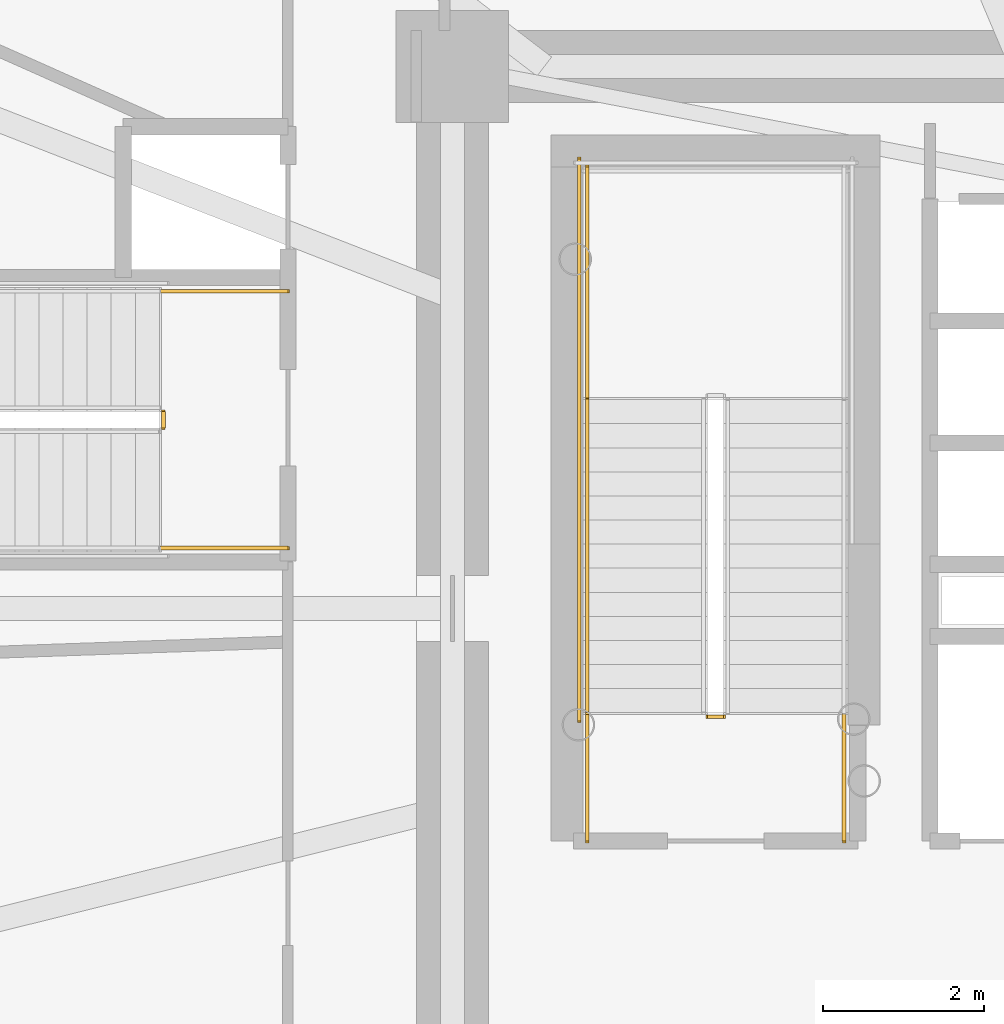
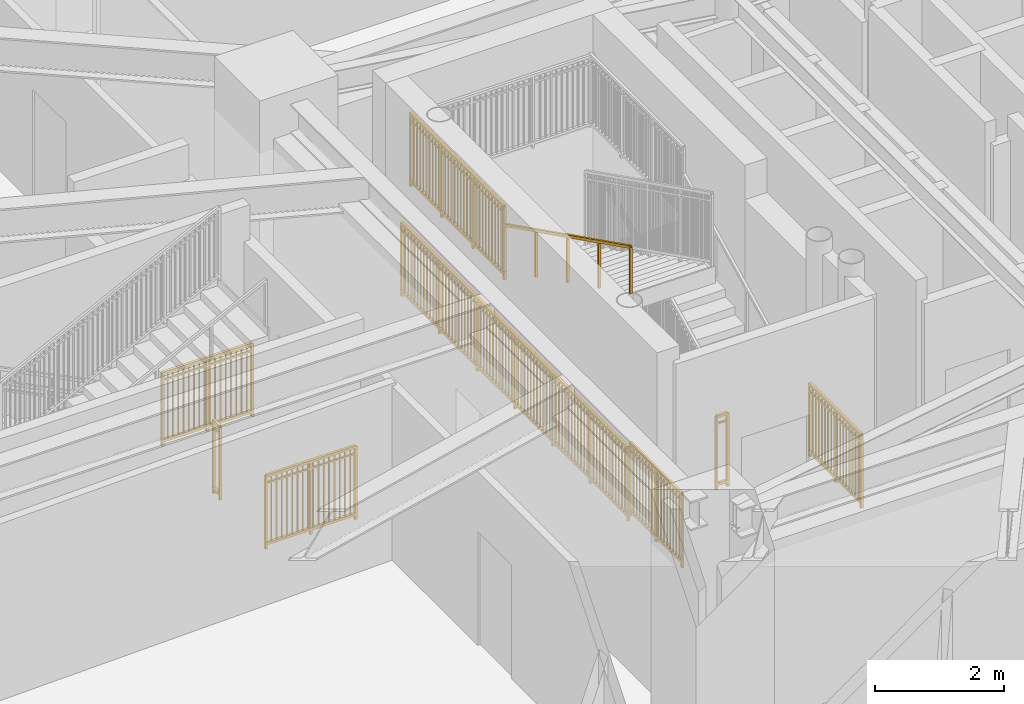
# One storey, part 24 of 32: 9 railings.
"""IFC4 building model written with IfcOpenShell, lengths in metres."""

from ifc_helpers import new_model, si_unit, direction, frame, origin, origin_2d, place, context, subcontext, project, spatial, rectangle, extrude, source, transform, mapped, material, type_object, element, save


model = new_model("IFC4")

# Units and contexts
model_context = context("Model", 3, precision=1e-05, world=origin(), true_north=direction((0.0, 1.0)))
body_context = subcontext(model_context, "Body", "Model", "MODEL_VIEW")
ifc_project = project(units=[si_unit("LENGTHUNIT", "METRE"), si_unit("AREAUNIT", "SQUARE_METRE"), si_unit("VOLUMEUNIT", "CUBIC_METRE"), si_unit("PLANEANGLEUNIT", "RADIAN"), si_unit("MASSUNIT", "GRAM", prefix="KILO")], contexts=[model_context])

# Site, building, storey
site_placement = place(None, origin())
site = spatial("IfcSite", under=ifc_project, at=site_placement, CompositionType="ELEMENT")
building_placement = place(site_placement, origin())
building = spatial("IfcBuilding", under=site, at=building_placement, Name="Linh Dai School and Residence Tower", CompositionType="ELEMENT")
storey_placement = place(building_placement, frame((0.0, 0.0, 53.39990234375)))
storey = spatial("IfcBuildingStorey", under=building, at=storey_placement, Name="L12", CompositionType="ELEMENT", Elevation=53.39990234375)

# Railings
ifc_material_1 = material(Name="Structural Steel S355JR", Category="steel")
railing_type_1 = type_object("IfcRailingType", Name="RL-ST-GUARD-1400", PredefinedType="GUARDRAIL", material=ifc_material_1)
shared_shape_1 = source(origin(), body_context, "Body", "SweptSolid", [
    extrude(rectangle(XDim=0.048095703125, YDim=0.048095703125, at=origin_2d()), frame((0.0, 0.0, 1.3759765625), z_axis=(-1.0, 0.0, 0.0), x_axis=(0.0, -1.0, 0.0)), (0.0, 0.0, 1.0), 0.199951171875),
    extrude(rectangle(XDim=0.048095703125, YDim=0.048095703125, at=origin_2d()), frame((0.0, 0.0, 0.10009765625), z_axis=(-1.0, 0.0, 0.0), x_axis=(0.0, -1.0, 0.0)), (0.0, 0.0, 1.0), 0.199951171875),
    extrude(rectangle(XDim=0.030029296875, YDim=0.030029296875, at=origin_2d()), frame((0.0, 0.0, 1.239990234375), z_axis=(-1.0, 0.0, 0.0), x_axis=(0.0, -1.0, 0.0)), (0.0, 0.0, 1.0), 0.199951171875),
    extrude(rectangle(XDim=0.0419921875, YDim=0.0419921875, at=origin_2d()), origin(), (0.0, 0.0, 1.0), 1.3759765625),
    extrude(rectangle(XDim=0.0419921875, YDim=0.0419921875, at=origin_2d()), frame((-0.199951171875, 0.0, 0.0)), (0.0, 0.0, 1.0), 1.3759765625),
])
railing_1_placement = place(storey_placement, frame((29.429931640625, 25.64990234375, 0.0)))
element("IfcRailing", 1, at=railing_1_placement, inside=storey, type_object=railing_type_1, Name="L12 ST1 stair guard 7", PredefinedType="GUARDRAIL", context=body_context, shape_type="MappedRepresentation", body=[
    mapped(shared_shape_1, transform((0.0, 0.0, 0.0), x_axis=(1.0, 0.0, 0.0), y_axis=(0.0, 1.0, 0.0), z_axis=(0.0, 0.0, 1.0), scale=1.0)),
])
shared_shape_2 = source(origin(), body_context, "Body", "SweptSolid", [
    extrude(rectangle(XDim=0.048095703125, YDim=0.048095703125, at=origin_2d()), frame((0.0, 0.0, 1.3759765625), z_axis=(0.0, 1.0, 0.0), x_axis=(-1.0, 0.0, 0.0)), (0.0, 0.0, 1.0), 1.599853515625),
    extrude(rectangle(XDim=0.048095703125, YDim=0.048095703125, at=origin_2d()), frame((0.0, 0.0, 0.10009765625), z_axis=(0.0, 1.0, 0.0), x_axis=(-1.0, 0.0, 0.0)), (0.0, 0.0, 1.0), 1.599853515625),
    extrude(rectangle(XDim=0.030029296875, YDim=0.030029296875, at=origin_2d()), frame((0.0, 0.0, 1.239990234375), z_axis=(0.0, 1.0, 0.0), x_axis=(-1.0, 0.0, 0.0)), (0.0, 0.0, 1.0), 1.599853515625),
    extrude(rectangle(XDim=0.02001953125, YDim=0.02001953125, at=origin_2d()), frame((0.0, 0.093994140625, 0.10009765625)), (0.0, 0.0, 1.0), 1.251708984375),
    extrude(rectangle(XDim=0.02001953125, YDim=0.02001953125, at=origin_2d()), frame((0.0, 0.188232421875, 0.10009765625)), (0.0, 0.0, 1.0), 1.251708984375),
    extrude(rectangle(XDim=0.02001953125, YDim=0.02001953125, at=origin_2d()), frame((0.0, 0.2822265625, 0.10009765625)), (0.0, 0.0, 1.0), 1.251708984375),
    extrude(rectangle(XDim=0.02001953125, YDim=0.02001953125, at=origin_2d()), frame((0.0, 0.37646484375, 0.10009765625)), (0.0, 0.0, 1.0), 1.251708984375),
    extrude(rectangle(XDim=0.02001953125, YDim=0.02001953125, at=origin_2d()), frame((0.0, 0.470458984375, 0.10009765625)), (0.0, 0.0, 1.0), 1.251708984375),
    extrude(rectangle(XDim=0.02001953125, YDim=0.02001953125, at=origin_2d()), frame((0.0, 0.564697265625, 0.10009765625)), (0.0, 0.0, 1.0), 1.251708984375),
    extrude(rectangle(XDim=0.02001953125, YDim=0.02001953125, at=origin_2d()), frame((0.0, 0.65869140625, 0.10009765625)), (0.0, 0.0, 1.0), 1.251708984375),
    extrude(rectangle(XDim=0.02001953125, YDim=0.02001953125, at=origin_2d()), frame((0.0, 0.7529296875, 0.10009765625)), (0.0, 0.0, 1.0), 1.251708984375),
    extrude(rectangle(XDim=0.02001953125, YDim=0.02001953125, at=origin_2d()), frame((0.0, 0.846923828125, 0.10009765625)), (0.0, 0.0, 1.0), 1.251708984375),
    extrude(rectangle(XDim=0.02001953125, YDim=0.02001953125, at=origin_2d()), frame((0.0, 0.941162109375, 0.10009765625)), (0.0, 0.0, 1.0), 1.251708984375),
    extrude(rectangle(XDim=0.02001953125, YDim=0.02001953125, at=origin_2d()), frame((0.0, 1.03515625, 0.10009765625)), (0.0, 0.0, 1.0), 1.251708984375),
    extrude(rectangle(XDim=0.02001953125, YDim=0.02001953125, at=origin_2d()), frame((0.0, 1.12939453125, 0.10009765625)), (0.0, 0.0, 1.0), 1.251708984375),
    extrude(rectangle(XDim=0.02001953125, YDim=0.02001953125, at=origin_2d()), frame((0.0, 1.223388671875, 0.10009765625)), (0.0, 0.0, 1.0), 1.251708984375),
    extrude(rectangle(XDim=0.02001953125, YDim=0.02001953125, at=origin_2d()), frame((0.0, 1.317626953125, 0.10009765625)), (0.0, 0.0, 1.0), 1.251708984375),
    extrude(rectangle(XDim=0.02001953125, YDim=0.02001953125, at=origin_2d()), frame((0.0, 1.41162109375, 0.10009765625)), (0.0, 0.0, 1.0), 1.251708984375),
    extrude(rectangle(XDim=0.02001953125, YDim=0.02001953125, at=origin_2d()), frame((0.0, 1.505859375, 0.10009765625)), (0.0, 0.0, 1.0), 1.251708984375),
    extrude(rectangle(XDim=0.0419921875, YDim=0.0419921875, at=origin_2d()), origin(), (0.0, 0.0, 1.0), 1.3759765625),
    extrude(rectangle(XDim=0.0419921875, YDim=0.0419921875, at=origin_2d()), frame((0.0, 0.7998046875, 0.0)), (0.0, 0.0, 1.0), 1.3759765625),
    extrude(rectangle(XDim=0.0419921875, YDim=0.0419921875, at=origin_2d()), frame((0.0, 1.599853515625, 0.0)), (0.0, 0.0, 1.0), 1.3759765625),
])
for number, where, name in (
    (2, (30.929931640625, 24.10009765625, 0.0), "L12 ST1 stair guard 8"),
    (3, (27.72998046875, 24.10009765625, 0.0), "L12 ST1 stair guard 9"),
):
    element("IfcRailing", number, at=place(storey_placement, frame(where)), inside=storey, type_object=railing_type_1, Name=name, PredefinedType="GUARDRAIL", context=body_context, shape_type="MappedRepresentation", body=[
        mapped(shared_shape_2, transform((0.0, 0.0, 0.0), x_axis=(1.0, 0.0, 0.0), y_axis=(0.0, 1.0, 0.0), z_axis=(0.0, 0.0, 1.0), scale=1.0)),
    ])
shared_shape_3 = source(origin(), body_context, "Body", "SweptSolid", [
    extrude(rectangle(XDim=0.048095703125, YDim=0.048095703125, at=origin_2d()), frame((0.0, 0.0, 1.3759765625), z_axis=(0.0, 1.0, 0.0), x_axis=(-1.0, 0.0, 0.0)), (0.0, 0.0, 1.0), 7.0),
    extrude(rectangle(XDim=0.048095703125, YDim=0.048095703125, at=origin_2d()), frame((0.0, 0.0, 0.10009765625), z_axis=(0.0, 1.0, 0.0), x_axis=(-1.0, 0.0, 0.0)), (0.0, 0.0, 1.0), 7.0),
    extrude(rectangle(XDim=0.030029296875, YDim=0.030029296875, at=origin_2d()), frame((0.0, 0.0, 1.239990234375), z_axis=(0.0, 1.0, 0.0), x_axis=(-1.0, 0.0, 0.0)), (0.0, 0.0, 1.0), 7.0),
    extrude(rectangle(XDim=0.02001953125, YDim=0.02001953125, at=origin_2d()), frame((0.0, 0.09716796875, 0.10009765625)), (0.0, 0.0, 1.0), 1.251708984375),
    extrude(rectangle(XDim=0.02001953125, YDim=0.02001953125, at=origin_2d()), frame((0.0, 0.1943359375, 0.10009765625)), (0.0, 0.0, 1.0), 1.251708984375),
    extrude(rectangle(XDim=0.02001953125, YDim=0.02001953125, at=origin_2d()), frame((0.0, 0.291748046875, 0.10009765625)), (0.0, 0.0, 1.0), 1.251708984375),
    extrude(rectangle(XDim=0.02001953125, YDim=0.02001953125, at=origin_2d()), frame((0.0, 0.388916015625, 0.10009765625)), (0.0, 0.0, 1.0), 1.251708984375),
    extrude(rectangle(XDim=0.02001953125, YDim=0.02001953125, at=origin_2d()), frame((0.0, 0.486083984375, 0.10009765625)), (0.0, 0.0, 1.0), 1.251708984375),
    extrude(rectangle(XDim=0.02001953125, YDim=0.02001953125, at=origin_2d()), frame((0.0, 0.583251953125, 0.10009765625)), (0.0, 0.0, 1.0), 1.251708984375),
    extrude(rectangle(XDim=0.02001953125, YDim=0.02001953125, at=origin_2d()), frame((0.0, 0.6806640625, 0.10009765625)), (0.0, 0.0, 1.0), 1.251708984375),
    extrude(rectangle(XDim=0.02001953125, YDim=0.02001953125, at=origin_2d()), frame((0.0, 0.77783203125, 0.10009765625)), (0.0, 0.0, 1.0), 1.251708984375),
    extrude(rectangle(XDim=0.02001953125, YDim=0.02001953125, at=origin_2d()), frame((0.0, 0.875, 0.10009765625)), (0.0, 0.0, 1.0), 1.251708984375),
    extrude(rectangle(XDim=0.02001953125, YDim=0.02001953125, at=origin_2d()), frame((0.0, 0.97216796875, 0.10009765625)), (0.0, 0.0, 1.0), 1.251708984375),
    extrude(rectangle(XDim=0.02001953125, YDim=0.02001953125, at=origin_2d()), frame((0.0, 1.0693359375, 0.10009765625)), (0.0, 0.0, 1.0), 1.251708984375),
    extrude(rectangle(XDim=0.02001953125, YDim=0.02001953125, at=origin_2d()), frame((0.0, 1.263916015625, 0.10009765625)), (0.0, 0.0, 1.0), 1.251708984375),
    extrude(rectangle(XDim=0.02001953125, YDim=0.02001953125, at=origin_2d()), frame((0.0, 1.361083984375, 0.10009765625)), (0.0, 0.0, 1.0), 1.251708984375),
    extrude(rectangle(XDim=0.02001953125, YDim=0.02001953125, at=origin_2d()), frame((0.0, 1.458251953125, 0.10009765625)), (0.0, 0.0, 1.0), 1.251708984375),
    extrude(rectangle(XDim=0.02001953125, YDim=0.02001953125, at=origin_2d()), frame((0.0, 1.5556640625, 0.10009765625)), (0.0, 0.0, 1.0), 1.251708984375),
    extrude(rectangle(XDim=0.02001953125, YDim=0.02001953125, at=origin_2d()), frame((0.0, 1.65283203125, 0.10009765625)), (0.0, 0.0, 1.0), 1.251708984375),
    extrude(rectangle(XDim=0.02001953125, YDim=0.02001953125, at=origin_2d()), frame((0.0, 1.75, 0.10009765625)), (0.0, 0.0, 1.0), 1.251708984375),
    extrude(rectangle(XDim=0.02001953125, YDim=0.02001953125, at=origin_2d()), frame((0.0, 1.84716796875, 0.10009765625)), (0.0, 0.0, 1.0), 1.251708984375),
    extrude(rectangle(XDim=0.02001953125, YDim=0.02001953125, at=origin_2d()), frame((0.0, 1.9443359375, 0.10009765625)), (0.0, 0.0, 1.0), 1.251708984375),
    extrude(rectangle(XDim=0.02001953125, YDim=0.02001953125, at=origin_2d()), frame((0.0, 2.041748046875, 0.10009765625)), (0.0, 0.0, 1.0), 1.251708984375),
    extrude(rectangle(XDim=0.02001953125, YDim=0.02001953125, at=origin_2d()), frame((0.0, 2.138916015625, 0.10009765625)), (0.0, 0.0, 1.0), 1.251708984375),
    extrude(rectangle(XDim=0.02001953125, YDim=0.02001953125, at=origin_2d()), frame((0.0, 2.236083984375, 0.10009765625)), (0.0, 0.0, 1.0), 1.251708984375),
    extrude(rectangle(XDim=0.02001953125, YDim=0.02001953125, at=origin_2d()), frame((0.0, 2.4306640625, 0.10009765625)), (0.0, 0.0, 1.0), 1.251708984375),
    extrude(rectangle(XDim=0.02001953125, YDim=0.02001953125, at=origin_2d()), frame((0.0, 2.52783203125, 0.10009765625)), (0.0, 0.0, 1.0), 1.251708984375),
    extrude(rectangle(XDim=0.02001953125, YDim=0.02001953125, at=origin_2d()), frame((0.0, 2.625, 0.10009765625)), (0.0, 0.0, 1.0), 1.251708984375),
    extrude(rectangle(XDim=0.02001953125, YDim=0.02001953125, at=origin_2d()), frame((0.0, 2.72216796875, 0.10009765625)), (0.0, 0.0, 1.0), 1.251708984375),
    extrude(rectangle(XDim=0.02001953125, YDim=0.02001953125, at=origin_2d()), frame((0.0, 2.8193359375, 0.10009765625)), (0.0, 0.0, 1.0), 1.251708984375),
    extrude(rectangle(XDim=0.02001953125, YDim=0.02001953125, at=origin_2d()), frame((0.0, 2.916748046875, 0.10009765625)), (0.0, 0.0, 1.0), 1.251708984375),
    extrude(rectangle(XDim=0.02001953125, YDim=0.02001953125, at=origin_2d()), frame((0.0, 3.013916015625, 0.10009765625)), (0.0, 0.0, 1.0), 1.251708984375),
    extrude(rectangle(XDim=0.02001953125, YDim=0.02001953125, at=origin_2d()), frame((0.0, 3.111083984375, 0.10009765625)), (0.0, 0.0, 1.0), 1.251708984375),
    extrude(rectangle(XDim=0.02001953125, YDim=0.02001953125, at=origin_2d()), frame((0.0, 3.208251953125, 0.10009765625)), (0.0, 0.0, 1.0), 1.251708984375),
    extrude(rectangle(XDim=0.02001953125, YDim=0.02001953125, at=origin_2d()), frame((0.0, 3.3056640625, 0.10009765625)), (0.0, 0.0, 1.0), 1.251708984375),
    extrude(rectangle(XDim=0.02001953125, YDim=0.02001953125, at=origin_2d()), frame((0.0, 3.40283203125, 0.10009765625)), (0.0, 0.0, 1.0), 1.251708984375),
    extrude(rectangle(XDim=0.02001953125, YDim=0.02001953125, at=origin_2d()), frame((0.0, 3.59716796875, 0.10009765625)), (0.0, 0.0, 1.0), 1.251708984375),
    extrude(rectangle(XDim=0.02001953125, YDim=0.02001953125, at=origin_2d()), frame((0.0, 3.6943359375, 0.10009765625)), (0.0, 0.0, 1.0), 1.251708984375),
    extrude(rectangle(XDim=0.02001953125, YDim=0.02001953125, at=origin_2d()), frame((0.0, 3.791748046875, 0.10009765625)), (0.0, 0.0, 1.0), 1.251708984375),
    extrude(rectangle(XDim=0.02001953125, YDim=0.02001953125, at=origin_2d()), frame((0.0, 3.888916015625, 0.10009765625)), (0.0, 0.0, 1.0), 1.251708984375),
    extrude(rectangle(XDim=0.02001953125, YDim=0.02001953125, at=origin_2d()), frame((0.0, 3.986083984375, 0.10009765625)), (0.0, 0.0, 1.0), 1.251708984375),
    extrude(rectangle(XDim=0.02001953125, YDim=0.02001953125, at=origin_2d()), frame((0.0, 4.083251953125, 0.10009765625)), (0.0, 0.0, 1.0), 1.251708984375),
    extrude(rectangle(XDim=0.02001953125, YDim=0.02001953125, at=origin_2d()), frame((0.0, 4.1806640625, 0.10009765625)), (0.0, 0.0, 1.0), 1.251708984375),
    extrude(rectangle(XDim=0.02001953125, YDim=0.02001953125, at=origin_2d()), frame((0.0, 4.27783203125, 0.10009765625)), (0.0, 0.0, 1.0), 1.251708984375),
    extrude(rectangle(XDim=0.02001953125, YDim=0.02001953125, at=origin_2d()), frame((0.0, 4.375, 0.10009765625)), (0.0, 0.0, 1.0), 1.251708984375),
    extrude(rectangle(XDim=0.02001953125, YDim=0.02001953125, at=origin_2d()), frame((0.0, 4.47216796875, 0.10009765625)), (0.0, 0.0, 1.0), 1.251708984375),
    extrude(rectangle(XDim=0.02001953125, YDim=0.02001953125, at=origin_2d()), frame((0.0, 4.5693359375, 0.10009765625)), (0.0, 0.0, 1.0), 1.251708984375),
    extrude(rectangle(XDim=0.02001953125, YDim=0.02001953125, at=origin_2d()), frame((0.0, 4.763916015625, 0.10009765625)), (0.0, 0.0, 1.0), 1.251708984375),
    extrude(rectangle(XDim=0.02001953125, YDim=0.02001953125, at=origin_2d()), frame((0.0, 4.861083984375, 0.10009765625)), (0.0, 0.0, 1.0), 1.251708984375),
    extrude(rectangle(XDim=0.02001953125, YDim=0.02001953125, at=origin_2d()), frame((0.0, 4.958251953125, 0.10009765625)), (0.0, 0.0, 1.0), 1.251708984375),
    extrude(rectangle(XDim=0.02001953125, YDim=0.02001953125, at=origin_2d()), frame((0.0, 5.0556640625, 0.10009765625)), (0.0, 0.0, 1.0), 1.251708984375),
    extrude(rectangle(XDim=0.02001953125, YDim=0.02001953125, at=origin_2d()), frame((0.0, 5.15283203125, 0.10009765625)), (0.0, 0.0, 1.0), 1.251708984375),
    extrude(rectangle(XDim=0.02001953125, YDim=0.02001953125, at=origin_2d()), frame((0.0, 5.25, 0.10009765625)), (0.0, 0.0, 1.0), 1.251708984375),
    extrude(rectangle(XDim=0.02001953125, YDim=0.02001953125, at=origin_2d()), frame((0.0, 5.34716796875, 0.10009765625)), (0.0, 0.0, 1.0), 1.251708984375),
    extrude(rectangle(XDim=0.02001953125, YDim=0.02001953125, at=origin_2d()), frame((0.0, 5.4443359375, 0.10009765625)), (0.0, 0.0, 1.0), 1.251708984375),
    extrude(rectangle(XDim=0.02001953125, YDim=0.02001953125, at=origin_2d()), frame((0.0, 5.541748046875, 0.10009765625)), (0.0, 0.0, 1.0), 1.251708984375),
    extrude(rectangle(XDim=0.02001953125, YDim=0.02001953125, at=origin_2d()), frame((0.0, 5.638916015625, 0.10009765625)), (0.0, 0.0, 1.0), 1.251708984375),
    extrude(rectangle(XDim=0.02001953125, YDim=0.02001953125, at=origin_2d()), frame((0.0, 5.736083984375, 0.10009765625)), (0.0, 0.0, 1.0), 1.251708984375),
    extrude(rectangle(XDim=0.02001953125, YDim=0.02001953125, at=origin_2d()), frame((0.0, 5.9306640625, 0.10009765625)), (0.0, 0.0, 1.0), 1.251708984375),
    extrude(rectangle(XDim=0.02001953125, YDim=0.02001953125, at=origin_2d()), frame((0.0, 6.02783203125, 0.10009765625)), (0.0, 0.0, 1.0), 1.251708984375),
    extrude(rectangle(XDim=0.02001953125, YDim=0.02001953125, at=origin_2d()), frame((0.0, 6.125, 0.10009765625)), (0.0, 0.0, 1.0), 1.251708984375),
    extrude(rectangle(XDim=0.02001953125, YDim=0.02001953125, at=origin_2d()), frame((0.0, 6.22216796875, 0.10009765625)), (0.0, 0.0, 1.0), 1.251708984375),
    extrude(rectangle(XDim=0.02001953125, YDim=0.02001953125, at=origin_2d()), frame((0.0, 6.3193359375, 0.10009765625)), (0.0, 0.0, 1.0), 1.251708984375),
    extrude(rectangle(XDim=0.02001953125, YDim=0.02001953125, at=origin_2d()), frame((0.0, 6.416748046875, 0.10009765625)), (0.0, 0.0, 1.0), 1.251708984375),
    extrude(rectangle(XDim=0.02001953125, YDim=0.02001953125, at=origin_2d()), frame((0.0, 6.513916015625, 0.10009765625)), (0.0, 0.0, 1.0), 1.251708984375),
    extrude(rectangle(XDim=0.02001953125, YDim=0.02001953125, at=origin_2d()), frame((0.0, 6.611083984375, 0.10009765625)), (0.0, 0.0, 1.0), 1.251708984375),
    extrude(rectangle(XDim=0.02001953125, YDim=0.02001953125, at=origin_2d()), frame((0.0, 6.708251953125, 0.10009765625)), (0.0, 0.0, 1.0), 1.251708984375),
    extrude(rectangle(XDim=0.02001953125, YDim=0.02001953125, at=origin_2d()), frame((0.0, 6.8056640625, 0.10009765625)), (0.0, 0.0, 1.0), 1.251708984375),
    extrude(rectangle(XDim=0.02001953125, YDim=0.02001953125, at=origin_2d()), frame((0.0, 6.90283203125, 0.10009765625)), (0.0, 0.0, 1.0), 1.251708984375),
    extrude(rectangle(XDim=0.0419921875, YDim=0.0419921875, at=origin_2d()), origin(), (0.0, 0.0, 1.0), 1.3759765625),
    extrude(rectangle(XDim=0.0419921875, YDim=0.0419921875, at=origin_2d()), frame((0.0, 1.166748046875, 0.0)), (0.0, 0.0, 1.0), 1.3759765625),
    extrude(rectangle(XDim=0.0419921875, YDim=0.0419921875, at=origin_2d()), frame((0.0, 2.333251953125, 0.0)), (0.0, 0.0, 1.0), 1.3759765625),
    extrude(rectangle(XDim=0.0419921875, YDim=0.0419921875, at=origin_2d()), frame((0.0, 3.5, 0.0)), (0.0, 0.0, 1.0), 1.3759765625),
    extrude(rectangle(XDim=0.0419921875, YDim=0.0419921875, at=origin_2d()), frame((0.0, 4.666748046875, 0.0)), (0.0, 0.0, 1.0), 1.3759765625),
    extrude(rectangle(XDim=0.0419921875, YDim=0.0419921875, at=origin_2d()), frame((0.0, 5.833251953125, 0.0)), (0.0, 0.0, 1.0), 1.3759765625),
    extrude(rectangle(XDim=0.0419921875, YDim=0.0419921875, at=origin_2d()), frame((0.0, 7.0, 0.0)), (0.0, 0.0, 1.0), 1.3759765625),
])
railing_2_placement = place(storey_placement, frame((27.6298828125, 25.60009765625, 0.0)))
element("IfcRailing", 4, at=railing_2_placement, inside=storey, type_object=railing_type_1, Name="L12 ST1 stair guard 11", PredefinedType="GUARDRAIL", context=body_context, shape_type="MappedRepresentation", body=[
    mapped(shared_shape_3, transform((0.0, 0.0, 0.0), x_axis=(1.0, 0.0, 0.0), y_axis=(0.0, 1.0, 0.0), z_axis=(0.0, 0.0, 1.0), scale=1.0)),
])
shared_shape_4 = source(origin(), body_context, "Body", "SweptSolid", [
    extrude(rectangle(XDim=0.048095703125, YDim=0.048095703125, at=origin_2d()), frame((0.0, 0.0, 1.3759765625), z_axis=(0.0, 1.0, 0.0), x_axis=(-1.0, 0.0, 0.0)), (0.0, 0.0, 1.0), 2.89990234375),
    extrude(rectangle(XDim=0.048095703125, YDim=0.048095703125, at=origin_2d()), frame((0.0, 0.0, 0.10009765625), z_axis=(0.0, 1.0, 0.0), x_axis=(-1.0, 0.0, 0.0)), (0.0, 0.0, 1.0), 2.89990234375),
    extrude(rectangle(XDim=0.030029296875, YDim=0.030029296875, at=origin_2d()), frame((0.0, 0.0, 1.239990234375), z_axis=(0.0, 1.0, 0.0), x_axis=(-1.0, 0.0, 0.0)), (0.0, 0.0, 1.0), 2.89990234375),
    extrude(rectangle(XDim=0.02001953125, YDim=0.02001953125, at=origin_2d()), frame((0.0, 0.0966796875, 0.10009765625)), (0.0, 0.0, 1.0), 1.251708984375),
    extrude(rectangle(XDim=0.02001953125, YDim=0.02001953125, at=origin_2d()), frame((0.0, 0.193359375, 0.10009765625)), (0.0, 0.0, 1.0), 1.251708984375),
    extrude(rectangle(XDim=0.02001953125, YDim=0.02001953125, at=origin_2d()), frame((0.0, 0.2900390625, 0.10009765625)), (0.0, 0.0, 1.0), 1.251708984375),
    extrude(rectangle(XDim=0.02001953125, YDim=0.02001953125, at=origin_2d()), frame((0.0, 0.38671875, 0.10009765625)), (0.0, 0.0, 1.0), 1.251708984375),
    extrude(rectangle(XDim=0.02001953125, YDim=0.02001953125, at=origin_2d()), frame((0.0, 0.4833984375, 0.10009765625)), (0.0, 0.0, 1.0), 1.251708984375),
    extrude(rectangle(XDim=0.02001953125, YDim=0.02001953125, at=origin_2d()), frame((0.0, 0.580078125, 0.10009765625)), (0.0, 0.0, 1.0), 1.251708984375),
    extrude(rectangle(XDim=0.02001953125, YDim=0.02001953125, at=origin_2d()), frame((0.0, 0.6767578125, 0.10009765625)), (0.0, 0.0, 1.0), 1.251708984375),
    extrude(rectangle(XDim=0.02001953125, YDim=0.02001953125, at=origin_2d()), frame((0.0, 0.773193359375, 0.10009765625)), (0.0, 0.0, 1.0), 1.251708984375),
    extrude(rectangle(XDim=0.02001953125, YDim=0.02001953125, at=origin_2d()), frame((0.0, 0.869873046875, 0.10009765625)), (0.0, 0.0, 1.0), 1.251708984375),
    extrude(rectangle(XDim=0.02001953125, YDim=0.02001953125, at=origin_2d()), frame((0.0, 1.063232421875, 0.10009765625)), (0.0, 0.0, 1.0), 1.251708984375),
    extrude(rectangle(XDim=0.02001953125, YDim=0.02001953125, at=origin_2d()), frame((0.0, 1.159912109375, 0.10009765625)), (0.0, 0.0, 1.0), 1.251708984375),
    extrude(rectangle(XDim=0.02001953125, YDim=0.02001953125, at=origin_2d()), frame((0.0, 1.256591796875, 0.10009765625)), (0.0, 0.0, 1.0), 1.251708984375),
    extrude(rectangle(XDim=0.02001953125, YDim=0.02001953125, at=origin_2d()), frame((0.0, 1.353271484375, 0.10009765625)), (0.0, 0.0, 1.0), 1.251708984375),
    extrude(rectangle(XDim=0.02001953125, YDim=0.02001953125, at=origin_2d()), frame((0.0, 1.449951171875, 0.10009765625)), (0.0, 0.0, 1.0), 1.251708984375),
    extrude(rectangle(XDim=0.02001953125, YDim=0.02001953125, at=origin_2d()), frame((0.0, 1.546630859375, 0.10009765625)), (0.0, 0.0, 1.0), 1.251708984375),
    extrude(rectangle(XDim=0.02001953125, YDim=0.02001953125, at=origin_2d()), frame((0.0, 1.643310546875, 0.10009765625)), (0.0, 0.0, 1.0), 1.251708984375),
    extrude(rectangle(XDim=0.02001953125, YDim=0.02001953125, at=origin_2d()), frame((0.0, 1.739990234375, 0.10009765625)), (0.0, 0.0, 1.0), 1.251708984375),
    extrude(rectangle(XDim=0.02001953125, YDim=0.02001953125, at=origin_2d()), frame((0.0, 1.836669921875, 0.10009765625)), (0.0, 0.0, 1.0), 1.251708984375),
    extrude(rectangle(XDim=0.02001953125, YDim=0.02001953125, at=origin_2d()), frame((0.0, 2.030029296875, 0.10009765625)), (0.0, 0.0, 1.0), 1.251708984375),
    extrude(rectangle(XDim=0.02001953125, YDim=0.02001953125, at=origin_2d()), frame((0.0, 2.126708984375, 0.10009765625)), (0.0, 0.0, 1.0), 1.251708984375),
    extrude(rectangle(XDim=0.02001953125, YDim=0.02001953125, at=origin_2d()), frame((0.0, 2.22314453125, 0.10009765625)), (0.0, 0.0, 1.0), 1.251708984375),
    extrude(rectangle(XDim=0.02001953125, YDim=0.02001953125, at=origin_2d()), frame((0.0, 2.31982421875, 0.10009765625)), (0.0, 0.0, 1.0), 1.251708984375),
    extrude(rectangle(XDim=0.02001953125, YDim=0.02001953125, at=origin_2d()), frame((0.0, 2.41650390625, 0.10009765625)), (0.0, 0.0, 1.0), 1.251708984375),
    extrude(rectangle(XDim=0.02001953125, YDim=0.02001953125, at=origin_2d()), frame((0.0, 2.51318359375, 0.10009765625)), (0.0, 0.0, 1.0), 1.251708984375),
    extrude(rectangle(XDim=0.02001953125, YDim=0.02001953125, at=origin_2d()), frame((0.0, 2.60986328125, 0.10009765625)), (0.0, 0.0, 1.0), 1.251708984375),
    extrude(rectangle(XDim=0.02001953125, YDim=0.02001953125, at=origin_2d()), frame((0.0, 2.70654296875, 0.10009765625)), (0.0, 0.0, 1.0), 1.251708984375),
    extrude(rectangle(XDim=0.02001953125, YDim=0.02001953125, at=origin_2d()), frame((0.0, 2.80322265625, 0.10009765625)), (0.0, 0.0, 1.0), 1.251708984375),
    extrude(rectangle(XDim=0.0419921875, YDim=0.0419921875, at=origin_2d()), origin(), (0.0, 0.0, 1.0), 1.3759765625),
    extrude(rectangle(XDim=0.0419921875, YDim=0.0419921875, at=origin_2d()), frame((0.0, 0.966552734375, 0.0)), (0.0, 0.0, 1.0), 1.3759765625),
    extrude(rectangle(XDim=0.0419921875, YDim=0.0419921875, at=origin_2d()), frame((0.0, 1.933349609375, 0.0)), (0.0, 0.0, 1.0), 1.3759765625),
    extrude(rectangle(XDim=0.0419921875, YDim=0.0419921875, at=origin_2d()), frame((0.0, 2.89990234375, 0.0)), (0.0, 0.0, 1.0), 1.3759765625),
])
railing_3_placement = place(storey_placement, frame((27.72998046875, 29.60009765625, 2.10009765625)))
element("IfcRailing", 5, at=railing_3_placement, inside=storey, type_object=railing_type_1, Name="L12 ST1 stair guard 4", PredefinedType="GUARDRAIL", context=body_context, shape_type="MappedRepresentation", body=[
    mapped(shared_shape_4, transform((0.0, 0.0, 0.0), x_axis=(1.0, 0.0, 0.0), y_axis=(0.0, 1.0, 0.0), z_axis=(0.0, 0.0, 1.0), scale=1.0)),
])
ifc_material_2 = material(Name="Brushed Stainless Steel Handrail", Category="steel")
railing_type_2 = type_object("IfcRailingType", Name="RL-ST-HANDRAIL-900", PredefinedType="HANDRAIL", material=ifc_material_2)
shared_shape_5 = source(origin(), body_context, "Body", "SweptSolid", [
    extrude(rectangle(XDim=0.048095703125, YDim=0.048095703125, at=origin_2d()), frame((0.0, 0.0, 0.8759765625), z_axis=(0.0, -0.894415993023, 0.447235990752), x_axis=(1.0, 0.0, 0.0)), (0.0, 0.0, 1.0), 4.360595703125),
    extrude(rectangle(XDim=0.0419921875, YDim=0.0419921875, at=origin_2d()), origin(), (0.0, 0.0, 1.0), 0.8759765625),
    extrude(rectangle(XDim=0.0419921875, YDim=0.0419921875, at=origin_2d()), frame((0.0, -0.97509765625, 0.487548828125)), (0.0, 0.0, 1.0), 0.8759765625),
    extrude(rectangle(XDim=0.0419921875, YDim=0.0419921875, at=origin_2d()), frame((0.0, -1.9501953125, 0.97509765625)), (0.0, 0.0, 1.0), 0.8759765625),
    extrude(rectangle(XDim=0.0419921875, YDim=0.0419921875, at=origin_2d()), frame((0.0, -2.925048828125, 1.462646484375)), (0.0, 0.0, 1.0), 0.8759765625),
    extrude(rectangle(XDim=0.0419921875, YDim=0.0419921875, at=origin_2d()), frame((0.0, -3.900146484375, 1.9501953125)), (0.0, 0.0, 1.0), 0.8759765625),
])
railing_4_placement = place(storey_placement, frame((27.72998046875, 29.60009765625, 2.25)))
element("IfcRailing", 6, at=railing_4_placement, inside=storey, type_object=railing_type_2, Name="L12 ST1 stair handrail 2", PredefinedType="HANDRAIL", context=body_context, shape_type="MappedRepresentation", body=[
    mapped(shared_shape_5, transform((0.0, 0.0, 0.0), x_axis=(1.0, 0.0, 0.0), y_axis=(0.0, 1.0, 0.0), z_axis=(0.0, 0.0, 1.0), scale=1.0)),
])
shared_shape_6 = source(origin(), body_context, "Body", "SweptSolid", [
    extrude(rectangle(XDim=0.048095703125, YDim=0.048095703125, at=origin_2d()), frame((0.0, 0.0, 1.3759765625), z_axis=(0.0, -1.0, 0.0), x_axis=(1.0, 0.0, 0.0)), (0.0, 0.0, 1.0), 0.199951171875),
    extrude(rectangle(XDim=0.048095703125, YDim=0.048095703125, at=origin_2d()), frame((0.0, 0.0, 0.10009765625), z_axis=(0.0, -1.0, 0.0), x_axis=(1.0, 0.0, 0.0)), (0.0, 0.0, 1.0), 0.199951171875),
    extrude(rectangle(XDim=0.030029296875, YDim=0.030029296875, at=origin_2d()), frame((0.0, 0.0, 1.239990234375), z_axis=(0.0, -1.0, 0.0), x_axis=(1.0, 0.0, 0.0)), (0.0, 0.0, 1.0), 0.199951171875),
    extrude(rectangle(XDim=0.0419921875, YDim=0.0419921875, at=origin_2d()), origin(), (0.0, 0.0, 1.0), 1.3759765625),
    extrude(rectangle(XDim=0.0419921875, YDim=0.0419921875, at=origin_2d()), frame((0.0, -0.199951171875, 0.0)), (0.0, 0.0, 1.0), 1.3759765625),
])
railing_5_placement = place(storey_placement, frame((22.449951171875, 29.449951171875, 0.0)))
element("IfcRailing", 7, at=railing_5_placement, inside=storey, type_object=railing_type_1, Name="L12 STS1 stair guard 7", PredefinedType="GUARDRAIL", context=body_context, shape_type="MappedRepresentation", body=[
    mapped(shared_shape_6, transform((0.0, 0.0, 0.0), x_axis=(1.0, 0.0, 0.0), y_axis=(0.0, 1.0, 0.0), z_axis=(0.0, 0.0, 1.0), scale=1.0)),
])
shared_shape_7 = source(origin(), body_context, "Body", "SweptSolid", [
    extrude(rectangle(XDim=0.048095703125, YDim=0.048095703125, at=origin_2d()), frame((0.0, 0.0, 1.3759765625), z_axis=(-1.0, 0.0, 0.0), x_axis=(0.0, -1.0, 0.0)), (0.0, 0.0, 1.0), 1.60009765625),
    extrude(rectangle(XDim=0.048095703125, YDim=0.048095703125, at=origin_2d()), frame((0.0, 0.0, 0.10009765625), z_axis=(-1.0, 0.0, 0.0), x_axis=(0.0, -1.0, 0.0)), (0.0, 0.0, 1.0), 1.60009765625),
    extrude(rectangle(XDim=0.030029296875, YDim=0.030029296875, at=origin_2d()), frame((0.0, 0.0, 1.239990234375), z_axis=(-1.0, 0.0, 0.0), x_axis=(0.0, -1.0, 0.0)), (0.0, 0.0, 1.0), 1.60009765625),
    extrude(rectangle(XDim=0.02001953125, YDim=0.02001953125, at=origin_2d()), frame((-0.09423828125, 0.0, 0.10009765625)), (0.0, 0.0, 1.0), 1.251708984375),
    extrude(rectangle(XDim=0.02001953125, YDim=0.02001953125, at=origin_2d()), frame((-0.188232421875, 0.0, 0.10009765625)), (0.0, 0.0, 1.0), 1.251708984375),
    extrude(rectangle(XDim=0.02001953125, YDim=0.02001953125, at=origin_2d()), frame((-0.282470703125, 0.0, 0.10009765625)), (0.0, 0.0, 1.0), 1.251708984375),
    extrude(rectangle(XDim=0.02001953125, YDim=0.02001953125, at=origin_2d()), frame((-0.37646484375, 0.0, 0.10009765625)), (0.0, 0.0, 1.0), 1.251708984375),
    extrude(rectangle(XDim=0.02001953125, YDim=0.02001953125, at=origin_2d()), frame((-0.470703125, 0.0, 0.10009765625)), (0.0, 0.0, 1.0), 1.251708984375),
    extrude(rectangle(XDim=0.02001953125, YDim=0.02001953125, at=origin_2d()), frame((-0.564697265625, 0.0, 0.10009765625)), (0.0, 0.0, 1.0), 1.251708984375),
    extrude(rectangle(XDim=0.02001953125, YDim=0.02001953125, at=origin_2d()), frame((-0.658935546875, 0.0, 0.10009765625)), (0.0, 0.0, 1.0), 1.251708984375),
    extrude(rectangle(XDim=0.02001953125, YDim=0.02001953125, at=origin_2d()), frame((-0.7529296875, 0.0, 0.10009765625)), (0.0, 0.0, 1.0), 1.251708984375),
    extrude(rectangle(XDim=0.02001953125, YDim=0.02001953125, at=origin_2d()), frame((-0.84716796875, 0.0, 0.10009765625)), (0.0, 0.0, 1.0), 1.251708984375),
    extrude(rectangle(XDim=0.02001953125, YDim=0.02001953125, at=origin_2d()), frame((-0.941162109375, 0.0, 0.10009765625)), (0.0, 0.0, 1.0), 1.251708984375),
    extrude(rectangle(XDim=0.02001953125, YDim=0.02001953125, at=origin_2d()), frame((-1.035400390625, 0.0, 0.10009765625)), (0.0, 0.0, 1.0), 1.251708984375),
    extrude(rectangle(XDim=0.02001953125, YDim=0.02001953125, at=origin_2d()), frame((-1.12939453125, 0.0, 0.10009765625)), (0.0, 0.0, 1.0), 1.251708984375),
    extrude(rectangle(XDim=0.02001953125, YDim=0.02001953125, at=origin_2d()), frame((-1.2236328125, 0.0, 0.10009765625)), (0.0, 0.0, 1.0), 1.251708984375),
    extrude(rectangle(XDim=0.02001953125, YDim=0.02001953125, at=origin_2d()), frame((-1.317626953125, 0.0, 0.10009765625)), (0.0, 0.0, 1.0), 1.251708984375),
    extrude(rectangle(XDim=0.02001953125, YDim=0.02001953125, at=origin_2d()), frame((-1.411865234375, 0.0, 0.10009765625)), (0.0, 0.0, 1.0), 1.251708984375),
    extrude(rectangle(XDim=0.02001953125, YDim=0.02001953125, at=origin_2d()), frame((-1.505859375, 0.0, 0.10009765625)), (0.0, 0.0, 1.0), 1.251708984375),
    extrude(rectangle(XDim=0.0419921875, YDim=0.0419921875, at=origin_2d()), origin(), (0.0, 0.0, 1.0), 1.3759765625),
    extrude(rectangle(XDim=0.0419921875, YDim=0.0419921875, at=origin_2d()), frame((-0.800048828125, 0.0, 0.0)), (0.0, 0.0, 1.0), 1.3759765625),
    extrude(rectangle(XDim=0.0419921875, YDim=0.0419921875, at=origin_2d()), frame((-1.60009765625, 0.0, 0.0)), (0.0, 0.0, 1.0), 1.3759765625),
])
for number, where, name in (
    (8, (24.0, 30.949951171875, 0.0), "L12 STS1 stair guard 8"),
    (9, (24.0, 27.75, 0.0), "L12 STS1 stair guard 9"),
):
    element("IfcRailing", number, at=place(storey_placement, frame(where)), inside=storey, type_object=railing_type_1, Name=name, PredefinedType="GUARDRAIL", context=body_context, shape_type="MappedRepresentation", body=[
        mapped(shared_shape_7, transform((0.0, 0.0, 0.0), x_axis=(1.0, 0.0, 0.0), y_axis=(0.0, 1.0, 0.0), z_axis=(0.0, 0.0, 1.0), scale=1.0)),
    ])

save(model, "model.ifc")
